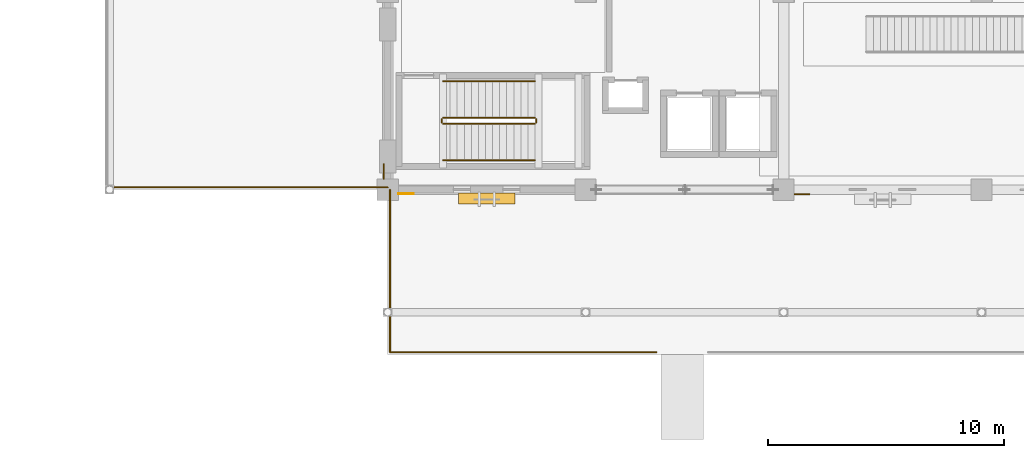
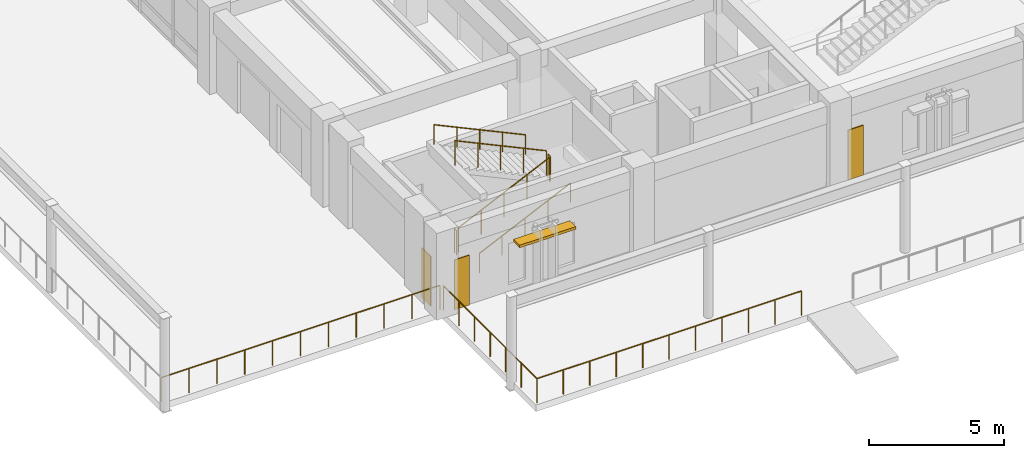
# One storey, part 105 of 135: 9 railings, 3 coverings, 1 shading device.
"""IFC4 building model written with IfcOpenShell, lengths in metres."""

from ifc_helpers import new_model, si_unit, direction, frame, origin, origin_2d, place, context, subcontext, project, spatial, polyline, rectangle, circle, outline, extrude, material, layer, layer_set, type_object, element, save


model = new_model("IFC4")

# Units and contexts
model_context = context("Model", 3, precision=1e-05, world=origin(), true_north=direction((0.0, 1.0)))
body_context = subcontext(model_context, "Body", "Model", "MODEL_VIEW")
ifc_project = project(units=[si_unit("LENGTHUNIT", "METRE"), si_unit("AREAUNIT", "SQUARE_METRE"), si_unit("VOLUMEUNIT", "CUBIC_METRE"), si_unit("PLANEANGLEUNIT", "RADIAN"), si_unit("MASSUNIT", "GRAM", prefix="KILO")], contexts=[model_context])

# Site, building, storey
site_placement = place(None, origin())
site = spatial("IfcSite", under=ifc_project, at=site_placement, CompositionType="ELEMENT")
building_placement = place(site_placement, origin())
building = spatial("IfcBuilding", under=site, at=building_placement, Name="Cumbredor Promenade Congress Hotel", CompositionType="ELEMENT")
storey_placement = place(building_placement, origin())
storey = spatial("IfcBuildingStorey", under=building, at=storey_placement, Name="L00", CompositionType="ELEMENT", Elevation=0.0)

# Coverings
ifc_material_1 = material(Name="Precast concrete C40/50", Category="concrete")
ifc_layer_1 = layer(ifc_material_1, 0.044921875, Name="Precast concrete C40/50", Category="concrete")
ifc_layer_set_1 = layer_set([ifc_layer_1], Name="Precast concrete C40/50")
covering_type_1 = type_object("IfcCoveringType", Name="Board-Formed Architectural Cladding Panel 45mm", PredefinedType="CLADDING", material=ifc_layer_set_1)
covering_1_placement = place(storey_placement, origin())
element("IfcCovering", 1, at=covering_1_placement, inside=storey, type_object=covering_type_1, Name="L00 Facade Stone Cladding Pier 002", PredefinedType="CLADDING", context=body_context, shape_type="SweptSolid", body=[
    extrude(outline(polyline([(25.65087890625, 8.22509765625), (26.301025390625, 8.22509765625), (26.301025390625, 8.179931640625), (25.65087890625, 8.179931640625), (25.65087890625, 8.22509765625)])), origin(), (0.0, 0.0, 1.0), 2.25),
])
covering_2_placement = place(storey_placement, origin())
element("IfcCovering", 2, at=covering_2_placement, inside=storey, type_object=covering_type_1, Name="L00 Facade Stone Cladding Pier 006", PredefinedType="CLADDING", context=body_context, shape_type="SweptSolid", body=[
    extrude(outline(polyline([(8.25, 8.85107421875), (8.25, 9.5009765625), (8.205078125, 9.5009765625), (8.205078125, 8.85107421875), (8.25, 8.85107421875)])), origin(), (0.0, 0.0, 1.0), 2.25),
])

# Shading device
ifc_material_2 = material(Name="Thermally broken anodized aluminium", Category="aluminium")
shading_device_type = type_object("IfcShadingDeviceType", Name="Horizontal Bronze Jalousie Louvre JAL-01", PredefinedType="JALOUSIE", material=ifc_material_2)
shading_device_placement = place(storey_placement, frame((12.60009765625, 8.02490234375, 2.159912109375), z_axis=(0.0, 0.0, 1.0), x_axis=(1.0, 0.0, 0.0)))
element("IfcShadingDevice", 3, at=shading_device_placement, inside=storey, type_object=shading_device_type, Name="L00 Horizontal Bronze Jalousie 001", PredefinedType="JALOUSIE", context=body_context, shape_type="SweptSolid", body=[
    extrude(rectangle(XDim=2.39990234375, YDim=0.449951171875, at=origin_2d()), origin(), (0.0, 0.0, 1.0), 0.1201171875),
])

# Railings
ifc_material_3 = material(Name="Brushed stainless steel", Category="steel")
railing_type_1 = type_object("IfcRailingType", Name="Interior Void & Stair Guardrail GR-1100", PredefinedType="GUARDRAIL", material=ifc_material_3)
railing_1_placement = place(storey_placement, frame((10.75, 11.199951171875, 0.139892578125)))
element("IfcRailing", 4, at=railing_1_placement, inside=storey, type_object=railing_type_1, Name="L00 ST-04 stair guard 1", PredefinedType="GUARDRAIL", context=body_context, shape_type="SweptSolid", body=[
    extrude(circle(Radius=0.02392578125, at=origin_2d()), frame((0.0, 0.0, 1.09619140625), z_axis=(0.906172994947, 0.0, 0.42290720404), x_axis=(0.0, 1.0, 0.0)), (0.0, 0.0, 1.0), 4.3037109375),
    extrude(circle(Radius=0.02099609375, at=origin_2d()), origin(), (0.0, 0.0, 1.0), 1.072021484375),
    extrude(circle(Radius=0.02099609375, at=origin_2d()), frame((0.97509765625, 0.0, 0.455078125)), (0.0, 0.0, 1.0), 1.072021484375),
    extrude(circle(Radius=0.02099609375, at=origin_2d()), frame((1.949951171875, 0.0, 0.91015625)), (0.0, 0.0, 1.0), 1.072021484375),
    extrude(circle(Radius=0.02099609375, at=origin_2d()), frame((2.9248046875, 0.0, 1.364990234375)), (0.0, 0.0, 1.0), 1.072021484375),
    extrude(circle(Radius=0.02099609375, at=origin_2d()), frame((3.89990234375, 0.0, 1.820068359375)), (0.0, 0.0, 1.0), 1.072021484375),
])
railing_2_placement = place(storey_placement, frame((14.699951171875, 11.25, 1.9599609375)))
element("IfcRailing", 5, at=railing_2_placement, inside=storey, type_object=railing_type_1, Name="L00 ST-04 stair guard 2", PredefinedType="GUARDRAIL", context=body_context, shape_type="SweptSolid", body=[
    extrude(circle(Radius=0.02392578125, at=origin_2d()), frame((0.0, 0.0, 1.09619140625), z_axis=(0.0, 1.0, 0.0), x_axis=(-1.0, 0.0, 0.0)), (0.0, 0.0, 1.0), 0.14990234375),
    extrude(circle(Radius=0.02099609375, at=origin_2d()), origin(), (0.0, 0.0, 1.0), 1.072021484375),
    extrude(circle(Radius=0.02099609375, at=origin_2d()), frame((0.0, 0.14990234375, 0.0)), (0.0, 0.0, 1.0), 1.072021484375),
])
railing_3_placement = place(storey_placement, frame((14.64990234375, 11.449951171875, 2.10009765625)))
element("IfcRailing", 6, at=railing_3_placement, inside=storey, type_object=railing_type_1, Name="L00 ST-04 stair guard 3", PredefinedType="GUARDRAIL", context=body_context, shape_type="SweptSolid", body=[
    extrude(circle(Radius=0.02392578125, at=origin_2d()), frame((0.0, 0.0, 1.09619140625), z_axis=(-0.906194733976, 0.0, 0.422860620199), x_axis=(0.0, -1.0, 0.0)), (0.0, 0.0, 1.0), 4.3037109375),
    extrude(circle(Radius=0.02099609375, at=origin_2d()), origin(), (0.0, 0.0, 1.0), 1.072021484375),
    extrude(circle(Radius=0.02099609375, at=origin_2d()), frame((-0.97509765625, 0.0, 0.455078125)), (0.0, 0.0, 1.0), 1.072021484375),
    extrude(circle(Radius=0.02099609375, at=origin_2d()), frame((-1.949951171875, 0.0, 0.909912109375)), (0.0, 0.0, 1.0), 1.072021484375),
    extrude(circle(Radius=0.02099609375, at=origin_2d()), frame((-2.9248046875, 0.0, 1.36474609375)), (0.0, 0.0, 1.0), 1.072021484375),
    extrude(circle(Radius=0.02099609375, at=origin_2d()), frame((-3.89990234375, 0.0, 1.81982421875)), (0.0, 0.0, 1.0), 1.072021484375),
])
railing_4_placement = place(storey_placement, frame((10.699951171875, 11.25, 0.0)))
element("IfcRailing", 7, at=railing_4_placement, inside=storey, type_object=railing_type_1, Name="L00 ST-04 stair guard 4", PredefinedType="GUARDRAIL", context=body_context, shape_type="SweptSolid", body=[
    extrude(circle(Radius=0.02392578125, at=origin_2d()), frame((0.0, 0.0, 1.09619140625), z_axis=(0.0, 1.0, 0.0), x_axis=(-1.0, 0.0, 0.0)), (0.0, 0.0, 1.0), 0.14990234375),
    extrude(circle(Radius=0.02099609375, at=origin_2d()), origin(), (0.0, 0.0, 1.0), 1.072021484375),
    extrude(circle(Radius=0.02099609375, at=origin_2d()), frame((0.0, 0.14990234375, 0.0)), (0.0, 0.0, 1.0), 1.072021484375),
])
railing_type_2 = type_object("IfcRailingType", Name="Stair Pitch Handrail HR-900", PredefinedType="HANDRAIL", material=ifc_material_3)
railing_5_placement = place(storey_placement, frame((10.75, 9.64990234375, 0.139892578125)))
element("IfcRailing", 8, at=railing_5_placement, inside=storey, type_object=railing_type_2, Name="L00 ST-04 stair handrail 1", PredefinedType="HANDRAIL", context=body_context, shape_type="SweptSolid", body=[
    extrude(circle(Radius=0.02392578125, at=origin_2d()), frame((0.0, 0.0, 0.8759765625), z_axis=(0.906172994947, 0.0, 0.42290720404), x_axis=(0.0, 1.0, 0.0)), (0.0, 0.0, 1.0), 4.3037109375),
    extrude(circle(Radius=0.02099609375, at=origin_2d()), origin(), (0.0, 0.0, 1.0), 0.851806640625),
    extrude(circle(Radius=0.02099609375, at=origin_2d()), frame((0.97509765625, 0.0, 0.455078125)), (0.0, 0.0, 1.0), 0.851806640625),
    extrude(circle(Radius=0.02099609375, at=origin_2d()), frame((1.949951171875, 0.0, 0.91015625)), (0.0, 0.0, 1.0), 0.851806640625),
    extrude(circle(Radius=0.02099609375, at=origin_2d()), frame((2.9248046875, 0.0, 1.364990234375)), (0.0, 0.0, 1.0), 0.851806640625),
    extrude(circle(Radius=0.02099609375, at=origin_2d()), frame((3.89990234375, 0.0, 1.820068359375)), (0.0, 0.0, 1.0), 0.851806640625),
])
railing_6_placement = place(storey_placement, frame((14.64990234375, 13.0, 2.10009765625)))
element("IfcRailing", 9, at=railing_6_placement, inside=storey, type_object=railing_type_2, Name="L00 ST-04 stair handrail 2", PredefinedType="HANDRAIL", context=body_context, shape_type="SweptSolid", body=[
    extrude(circle(Radius=0.02392578125, at=origin_2d()), frame((0.0, 0.0, 0.8759765625), z_axis=(-0.906194733976, 0.0, 0.422860620199), x_axis=(0.0, -1.0, 0.0)), (0.0, 0.0, 1.0), 4.3037109375),
    extrude(circle(Radius=0.02099609375, at=origin_2d()), origin(), (0.0, 0.0, 1.0), 0.851806640625),
    extrude(circle(Radius=0.02099609375, at=origin_2d()), frame((-0.97509765625, 0.0, 0.455078125)), (0.0, 0.0, 1.0), 0.851806640625),
    extrude(circle(Radius=0.02099609375, at=origin_2d()), frame((-1.949951171875, 0.0, 0.909912109375)), (0.0, 0.0, 1.0), 0.851806640625),
    extrude(circle(Radius=0.02099609375, at=origin_2d()), frame((-2.9248046875, 0.0, 1.36474609375)), (0.0, 0.0, 1.0), 0.851806640625),
    extrude(circle(Radius=0.02099609375, at=origin_2d()), frame((-3.89990234375, 0.0, 1.81982421875)), (0.0, 0.0, 1.0), 0.851806640625),
])
railing_type_3 = type_object("IfcRailingType", Name="Terrace Perimeter Balustrade BAL-1120", PredefinedType="BALUSTRADE", material=ifc_material_3)
railing_7_placement = place(storey_placement, frame((-3.5, 8.5, 0.0)))
element("IfcRailing", 10, at=railing_7_placement, inside=storey, type_object=railing_type_3, Name="L00 Promenade Terrace Balustrade 03", PredefinedType="BALUSTRADE", context=body_context, shape_type="SweptSolid", body=[
    extrude(circle(Radius=0.02392578125, at=origin_2d()), frame((0.0, 0.0, 1.09619140625), z_axis=(1.0, 0.0, 0.0), x_axis=(0.0, 1.0, 0.0)), (0.0, 0.0, 1.0), 11.89990234375),
    extrude(circle(Radius=0.02099609375, at=origin_2d()), origin(), (0.0, 0.0, 1.0), 1.072021484375),
    extrude(circle(Radius=0.02099609375, at=origin_2d()), frame((1.18994140625, 0.0, 0.0)), (0.0, 0.0, 1.0), 1.072021484375),
    extrude(circle(Radius=0.02099609375, at=origin_2d()), frame((2.3798828125, 0.0, 0.0)), (0.0, 0.0, 1.0), 1.072021484375),
    extrude(circle(Radius=0.02099609375, at=origin_2d()), frame((3.570068359375, 0.0, 0.0)), (0.0, 0.0, 1.0), 1.072021484375),
    extrude(circle(Radius=0.02099609375, at=origin_2d()), frame((4.760009765625, 0.0, 0.0)), (0.0, 0.0, 1.0), 1.072021484375),
    extrude(circle(Radius=0.02099609375, at=origin_2d()), frame((5.949951171875, 0.0, 0.0)), (0.0, 0.0, 1.0), 1.072021484375),
    extrude(circle(Radius=0.02099609375, at=origin_2d()), frame((7.139892578125, 0.0, 0.0)), (0.0, 0.0, 1.0), 1.072021484375),
    extrude(circle(Radius=0.02099609375, at=origin_2d()), frame((8.329833984375, 0.0, 0.0)), (0.0, 0.0, 1.0), 1.072021484375),
    extrude(circle(Radius=0.02099609375, at=origin_2d()), frame((9.52001953125, 0.0, 0.0)), (0.0, 0.0, 1.0), 1.072021484375),
    extrude(circle(Radius=0.02099609375, at=origin_2d()), frame((10.7099609375, 0.0, 0.0)), (0.0, 0.0, 1.0), 1.072021484375),
    extrude(circle(Radius=0.02099609375, at=origin_2d()), frame((11.89990234375, 0.0, 0.0)), (0.0, 0.0, 1.0), 1.072021484375),
])
railing_8_placement = place(storey_placement, frame((8.5, 1.5, 0.0)))
element("IfcRailing", 11, at=railing_8_placement, inside=storey, type_object=railing_type_3, Name="L00 Promenade Terrace Balustrade 05", PredefinedType="BALUSTRADE", context=body_context, shape_type="SweptSolid", body=[
    extrude(circle(Radius=0.02392578125, at=origin_2d()), frame((0.0, 0.0, 1.09619140625), z_axis=(1.0, 0.0, 0.0), x_axis=(0.0, 1.0, 0.0)), (0.0, 0.0, 1.0), 11.300048828125),
    extrude(circle(Radius=0.02099609375, at=origin_2d()), origin(), (0.0, 0.0, 1.0), 1.072021484375),
    extrude(circle(Radius=0.02099609375, at=origin_2d()), frame((1.1298828125, 0.0, 0.0)), (0.0, 0.0, 1.0), 1.072021484375),
    extrude(circle(Radius=0.02099609375, at=origin_2d()), frame((2.260009765625, 0.0, 0.0)), (0.0, 0.0, 1.0), 1.072021484375),
    extrude(circle(Radius=0.02099609375, at=origin_2d()), frame((3.39013671875, 0.0, 0.0)), (0.0, 0.0, 1.0), 1.072021484375),
    extrude(circle(Radius=0.02099609375, at=origin_2d()), frame((4.52001953125, 0.0, 0.0)), (0.0, 0.0, 1.0), 1.072021484375),
    extrude(circle(Radius=0.02099609375, at=origin_2d()), frame((5.64990234375, 0.0, 0.0)), (0.0, 0.0, 1.0), 1.072021484375),
    extrude(circle(Radius=0.02099609375, at=origin_2d()), frame((6.780029296875, 0.0, 0.0)), (0.0, 0.0, 1.0), 1.072021484375),
    extrude(circle(Radius=0.02099609375, at=origin_2d()), frame((7.909912109375, 0.0, 0.0)), (0.0, 0.0, 1.0), 1.072021484375),
    extrude(circle(Radius=0.02099609375, at=origin_2d()), frame((9.0400390625, 0.0, 0.0)), (0.0, 0.0, 1.0), 1.072021484375),
    extrude(circle(Radius=0.02099609375, at=origin_2d()), frame((10.169921875, 0.0, 0.0)), (0.0, 0.0, 1.0), 1.072021484375),
    extrude(circle(Radius=0.02099609375, at=origin_2d()), frame((11.300048828125, 0.0, 0.0)), (0.0, 0.0, 1.0), 1.072021484375),
])
railing_9_placement = place(storey_placement, frame((8.5, 1.5, 0.0)))
element("IfcRailing", 12, at=railing_9_placement, inside=storey, type_object=railing_type_3, Name="L00 Promenade Terrace Balustrade 09", PredefinedType="BALUSTRADE", context=body_context, shape_type="SweptSolid", body=[
    extrude(circle(Radius=0.02392578125, at=origin_2d()), frame((0.0, 0.0, 1.09619140625), z_axis=(0.0, 1.0, 0.0), x_axis=(-1.0, 0.0, 0.0)), (0.0, 0.0, 1.0), 6.89990234375),
    extrude(circle(Radius=0.02099609375, at=origin_2d()), origin(), (0.0, 0.0, 1.0), 1.072021484375),
    extrude(circle(Radius=0.02099609375, at=origin_2d()), frame((0.0, 1.14990234375, 0.0)), (0.0, 0.0, 1.0), 1.072021484375),
    extrude(circle(Radius=0.02099609375, at=origin_2d()), frame((0.0, 2.300048828125, 0.0)), (0.0, 0.0, 1.0), 1.072021484375),
    extrude(circle(Radius=0.02099609375, at=origin_2d()), frame((0.0, 3.449951171875, 0.0)), (0.0, 0.0, 1.0), 1.072021484375),
    extrude(circle(Radius=0.02099609375, at=origin_2d()), frame((0.0, 4.599853515625, 0.0)), (0.0, 0.0, 1.0), 1.072021484375),
    extrude(circle(Radius=0.02099609375, at=origin_2d()), frame((0.0, 5.75, 0.0)), (0.0, 0.0, 1.0), 1.072021484375),
    extrude(circle(Radius=0.02099609375, at=origin_2d()), frame((0.0, 6.89990234375, 0.0)), (0.0, 0.0, 1.0), 1.072021484375),
])

# Covering
ifc_material_4 = material(Name="Volcanic andesite ashlar cladding", Category="masonry")
ifc_layer_2 = layer(ifc_material_4, 0.034912109375, Name="Volcanic andesite ashlar cladding", Category="masonry")
ifc_layer_set_2 = layer_set([ifc_layer_2], Name="Volcanic andesite ashlar cladding")
covering_type_2 = type_object("IfcCoveringType", Name="Volcanic Andesite Ashlar Rainscreen Cladding 35mm", PredefinedType="CLADDING", material=ifc_layer_set_2)
covering_3_placement = place(storey_placement, origin())
element("IfcCovering", 13, at=covering_3_placement, inside=storey, type_object=covering_type_2, Name="L00 Facade Stone Cladding Pier 001", PredefinedType="CLADDING", context=body_context, shape_type="SweptSolid", body=[
    extrude(outline(polyline([(8.85107421875, 8.25), (9.5009765625, 8.25), (9.5009765625, 8.215087890625), (8.85107421875, 8.215087890625), (8.85107421875, 8.25)])), origin(), (0.0, 0.0, 1.0), 2.25),
])

save(model, "model.ifc")
